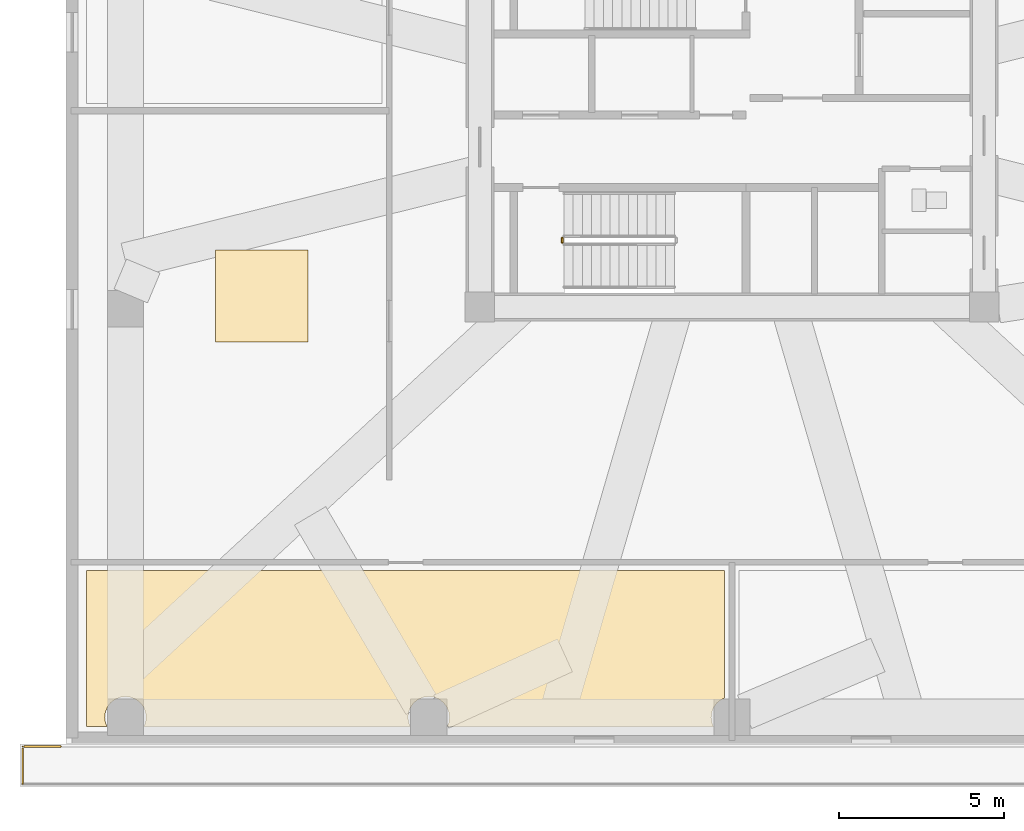
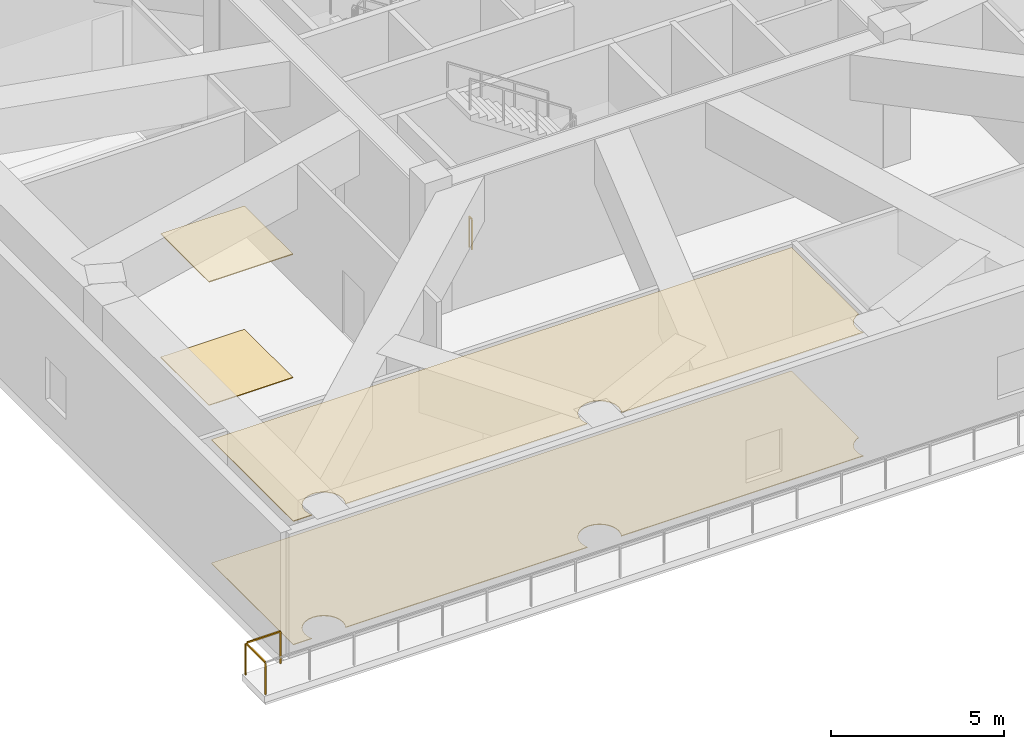
# One storey, part 13 of 21: 4 coverings, 2 railings.
"""IFC4 building model written with IfcOpenShell, lengths in metres."""

from ifc_helpers import new_model, si_unit, direction, frame, origin, origin_2d, place, context, subcontext, project, spatial, polyline, rectangle, outline, extrude, material, layer, layer_set, type_object, element, save


model = new_model("IFC4")

# Units and contexts
model_context = context("Model", 3, precision=1e-05, world=origin(), true_north=direction((0.0, 1.0)))
body_context = subcontext(model_context, "Body", "Model", "MODEL_VIEW")
ifc_project = project(units=[si_unit("LENGTHUNIT", "METRE"), si_unit("AREAUNIT", "SQUARE_METRE"), si_unit("VOLUMEUNIT", "CUBIC_METRE"), si_unit("PLANEANGLEUNIT", "RADIAN"), si_unit("MASSUNIT", "GRAM", prefix="KILO")], contexts=[model_context])

# Site, building, storey
site_placement = place(None, origin())
site = spatial("IfcSite", under=ifc_project, at=site_placement, CompositionType="ELEMENT")
building_placement = place(site_placement, origin())
building = spatial("IfcBuilding", under=site, at=building_placement, Name="Norrkilde Senior Care Towers", CompositionType="ELEMENT")
storey_placement = place(building_placement, frame((0.0, 0.0, 16.800048828125)))
storey = spatial("IfcBuildingStorey", under=building, at=storey_placement, Name="L04", CompositionType="ELEMENT", Elevation=16.800048828125)

# Railing
ifc_material_1 = material(Name="Anodised Aluminium", Category="aluminium")
railing_type_1 = type_object("IfcRailingType", Name="Balcony Swirl Ribbon Guardrail 1150", PredefinedType="GUARDRAIL", material=ifc_material_1)
railing_1_placement = place(storey_placement, frame((-49.52001953125, -20.419921875, 0.0)))
element("IfcRailing", 1, at=railing_1_placement, inside=storey, type_object=railing_type_1, Name="L04 Perimeter Safety Guard 01", PredefinedType="GUARDRAIL", context=body_context, shape_type="SweptSolid", body=[
    extrude(rectangle(XDim=0.048095703125, YDim=0.048095703125, at=origin_2d()), frame((0.0, 0.0, 1.1259765625), z_axis=(0.0, 1.0, 0.0), x_axis=(-1.0, 0.0, 0.0)), (0.0, 0.0, 1.0), 1.09423828125),
    extrude(rectangle(XDim=0.048095703125, YDim=0.048095703125, at=origin_2d()), frame((0.040771484375, 1.135009765625, 1.1259765625), z_axis=(1.0, 0.0, 0.0), x_axis=(0.0, 1.0, 0.0)), (0.0, 0.0, 1.0), 1.12060546875),
    extrude(rectangle(XDim=0.0419921875, YDim=0.0419921875, at=origin_2d()), origin(), (0.0, 0.0, 1.0), 1.099853515625),
    extrude(rectangle(XDim=0.0419921875, YDim=0.0419921875, at=origin_2d()), frame((0.0, 1.135009765625, 0.0)), (0.0, 0.0, 1.0), 1.099853515625),
    extrude(rectangle(XDim=0.0419921875, YDim=0.0419921875, at=origin_2d()), frame((1.161376953125, 1.135009765625, 0.0)), (0.0, 0.0, 1.0), 1.099853515625),
])

# Coverings
ifc_material_2 = material(Name="Gypsum Acoustic Board")
ifc_layer_1 = layer(ifc_material_2, 0.030029296875)
ifc_layer_set_1 = layer_set([ifc_layer_1], Name="Gypsum Acoustic Board")
covering_type_1 = type_object("IfcCoveringType", Name="Medical Cleanable Gypsum Ceiling 30", PredefinedType="CEILING", material=ifc_layer_set_1)
covering_1_placement = place(storey_placement, frame((0.0, 0.0, 4.349853515625)))
element("IfcCovering", 2, at=covering_1_placement, inside=storey, type_object=covering_type_1, Name="L04 Suspended Ceiling 0096", PredefinedType="CEILING", context=body_context, shape_type="SweptSolid", body=[
    extrude(outline(polyline([(-43.662353515625, -7.019775390625), (-43.662353515625, -4.2197265625), (-40.8623046875, -4.2197265625), (-40.8623046875, -7.019775390625), (-43.662353515625, -7.019775390625)])), origin(), (0.0, 0.0, 1.0), 0.030029296875),
])
covering_2_placement = place(storey_placement, frame((0.0, 0.0, 4.349853515625)))
element("IfcCovering", 3, at=covering_2_placement, inside=storey, type_object=covering_type_1, Name="L04 Suspended Ceiling 0117", PredefinedType="CEILING", context=body_context, shape_type="SweptSolid", body=[
    extrude(outline(polyline([(-36.591552734375, -18.56298828125), (-36.570068359375, -18.39990234375), (-36.591552734375, -18.237060546875), (-36.654296875, -18.0849609375), (-36.754638671875, -17.95458984375), (-36.885009765625, -17.8544921875), (-37.036865234375, -17.79150390625), (-37.199951171875, -17.77001953125), (-37.363037109375, -17.79150390625), (-37.514892578125, -17.8544921875), (-37.6455078125, -17.95458984375), (-37.74560546875, -18.0849609375), (-37.80859375, -18.237060546875), (-37.830078125, -18.39990234375), (-37.80859375, -18.56298828125), (-37.760009765625, -18.679931640625), (-45.83984375, -18.679931640625), (-45.79150390625, -18.56298828125), (-45.77001953125, -18.39990234375), (-45.79150390625, -18.237060546875), (-45.8544921875, -18.0849609375), (-45.95458984375, -17.95458984375), (-46.0849609375, -17.8544921875), (-46.237060546875, -17.79150390625), (-46.39990234375, -17.77001953125), (-46.56298828125, -17.79150390625), (-46.715087890625, -17.8544921875), (-46.845458984375, -17.95458984375), (-46.945556640625, -18.0849609375), (-47.008544921875, -18.237060546875), (-47.030029296875, -18.39990234375), (-47.008544921875, -18.56298828125), (-46.960205078125, -18.679931640625), (-47.580078125, -18.679931640625), (-47.580078125, -13.93994140625), (-28.219970703125, -13.93994140625), (-28.219970703125, -17.81494140625), (-28.31494140625, -17.8544921875), (-28.445556640625, -17.95458984375), (-28.545654296875, -18.0849609375), (-28.608642578125, -18.237060546875), (-28.6298828125, -18.39990234375), (-28.608642578125, -18.56298828125), (-28.56005859375, -18.679931640625), (-36.639892578125, -18.679931640625), (-36.591552734375, -18.56298828125)])), origin(), (0.0, 0.0, 1.0), 0.030029296875),
])
ifc_material_3 = material(Name="Slip-Resistant Porcelain Stone", Category="masonry")
ifc_layer_2 = layer(ifc_material_3, 0.02490234375)
ifc_layer_set_2 = layer_set([ifc_layer_2], Name="Slip-Resistant Porcelain Stone")
covering_type_2 = type_object("IfcCoveringType", Name="Slip-Resistant Porcelain Flooring 25", PredefinedType="FLOORING", material=ifc_layer_set_2)
covering_3_placement = place(storey_placement, origin())
element("IfcCovering", 4, at=covering_3_placement, inside=storey, type_object=covering_type_2, Name="L04 Floor Finish 0096", PredefinedType="FLOORING", context=body_context, shape_type="SweptSolid", body=[
    extrude(outline(polyline([(-43.662353515625, -7.019775390625), (-43.662353515625, -4.2197265625), (-40.8623046875, -4.2197265625), (-40.8623046875, -7.019775390625), (-43.662353515625, -7.019775390625)])), origin(), (0.0, 0.0, 1.0), 0.02490234375),
])
covering_4_placement = place(storey_placement, origin())
element("IfcCovering", 5, at=covering_4_placement, inside=storey, type_object=covering_type_2, Name="L04 Floor Finish 0117", PredefinedType="FLOORING", context=body_context, shape_type="SweptSolid", body=[
    extrude(outline(polyline([(-36.591552734375, -18.56298828125), (-36.570068359375, -18.39990234375), (-36.591552734375, -18.237060546875), (-36.654296875, -18.0849609375), (-36.754638671875, -17.95458984375), (-36.885009765625, -17.8544921875), (-37.036865234375, -17.79150390625), (-37.199951171875, -17.77001953125), (-37.363037109375, -17.79150390625), (-37.514892578125, -17.8544921875), (-37.6455078125, -17.95458984375), (-37.74560546875, -18.0849609375), (-37.80859375, -18.237060546875), (-37.830078125, -18.39990234375), (-37.80859375, -18.56298828125), (-37.760009765625, -18.679931640625), (-45.83984375, -18.679931640625), (-45.79150390625, -18.56298828125), (-45.77001953125, -18.39990234375), (-45.79150390625, -18.237060546875), (-45.8544921875, -18.0849609375), (-45.95458984375, -17.95458984375), (-46.0849609375, -17.8544921875), (-46.237060546875, -17.79150390625), (-46.39990234375, -17.77001953125), (-46.56298828125, -17.79150390625), (-46.715087890625, -17.8544921875), (-46.845458984375, -17.95458984375), (-46.945556640625, -18.0849609375), (-47.008544921875, -18.237060546875), (-47.030029296875, -18.39990234375), (-47.008544921875, -18.56298828125), (-46.960205078125, -18.679931640625), (-47.580078125, -18.679931640625), (-47.580078125, -13.93994140625), (-28.219970703125, -13.93994140625), (-28.219970703125, -17.81494140625), (-28.31494140625, -17.8544921875), (-28.445556640625, -17.95458984375), (-28.545654296875, -18.0849609375), (-28.608642578125, -18.237060546875), (-28.6298828125, -18.39990234375), (-28.608642578125, -18.56298828125), (-28.56005859375, -18.679931640625), (-36.639892578125, -18.679931640625), (-36.591552734375, -18.56298828125)])), origin(), (0.0, 0.0, 1.0), 0.02490234375),
])

# Railing
ifc_material_4 = material(Name="Stainless Steel", Category="steel")
railing_type_2 = type_object("IfcRailingType", Name="Stair and Terrace Guardrail 1100", PredefinedType="GUARDRAIL", material=ifc_material_4)
railing_2_placement = place(storey_placement, frame((-33.14990234375, -4.0, 0.0)))
element("IfcRailing", 6, at=railing_2_placement, inside=storey, type_object=railing_type_2, Name="L04 ST-W2 stair guard 4", PredefinedType="GUARDRAIL", context=body_context, shape_type="SweptSolid", body=[
    extrude(rectangle(XDim=0.048095703125, YDim=0.048095703125, at=origin_2d()), frame((0.0, 0.0, 1.076171875), z_axis=(0.0, 1.0, 0.0), x_axis=(-1.0, 0.0, 0.0)), (0.0, 0.0, 1.0), 0.14990234375),
    extrude(rectangle(XDim=0.0419921875, YDim=0.0419921875, at=origin_2d()), origin(), (0.0, 0.0, 1.0), 1.050048828125),
    extrude(rectangle(XDim=0.0419921875, YDim=0.0419921875, at=origin_2d()), frame((0.0, 0.14990234375, 0.0)), (0.0, 0.0, 1.0), 1.050048828125),
])

save(model, "model.ifc")
